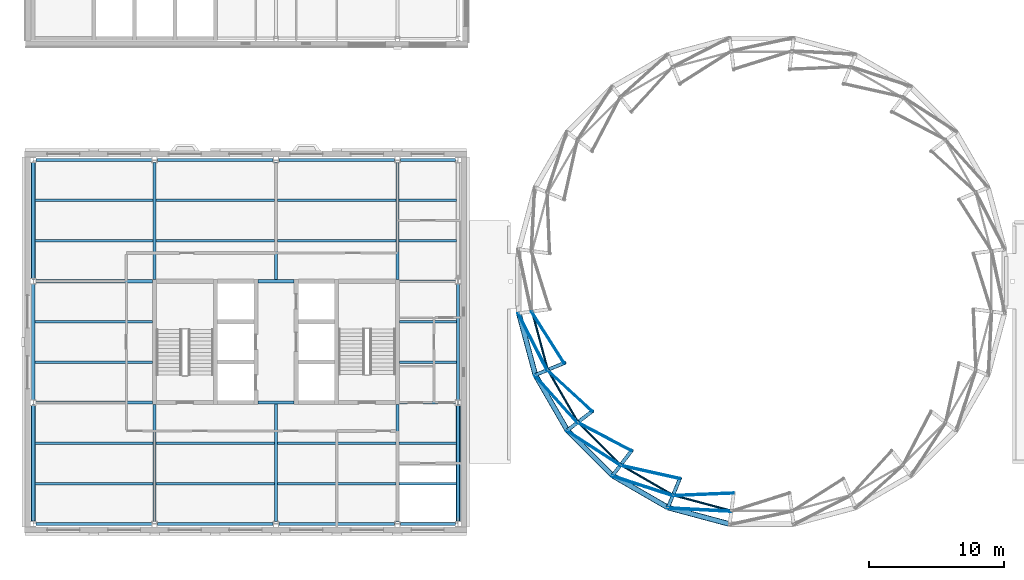
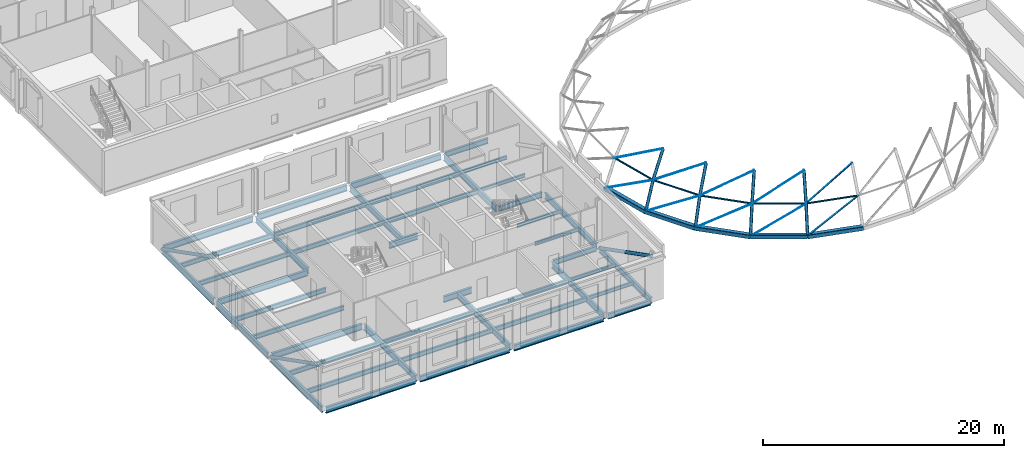
# One storey, part 7 of 59: 58 beams, 28 members.
"""IFC4 building model written with IfcOpenShell, lengths in metres."""

from ifc_helpers import new_model, si_unit, direction, frame, origin, origin_2d, place, context, subcontext, project, spatial, rectangle, hollow_rectangle, circle, hollow_circle, i_section, extrude, material, material_profile, profile_set, type_object, element, save


model = new_model("IFC4")

# Units and contexts
model_context = context("Model", 3, precision=1e-05, world=origin(), true_north=direction((0.0, 1.0)))
body_context = subcontext(model_context, "Body", "Model", "MODEL_VIEW")
ifc_project = project(units=[si_unit("LENGTHUNIT", "METRE"), si_unit("AREAUNIT", "SQUARE_METRE"), si_unit("VOLUMEUNIT", "CUBIC_METRE"), si_unit("PLANEANGLEUNIT", "RADIAN"), si_unit("MASSUNIT", "GRAM", prefix="KILO")], contexts=[model_context])

# Site, building, storey
site_placement = place(None, origin())
site = spatial("IfcSite", under=ifc_project, at=site_placement, CompositionType="ELEMENT")
building_placement = place(site_placement, origin())
building = spatial("IfcBuilding", under=site, at=building_placement, Name="Hortulan Conservatory and Botanical Research Centre", CompositionType="ELEMENT")
storey_placement = place(building_placement, frame((0.0, 0.0, 10.5)))
storey = spatial("IfcBuildingStorey", under=building, at=storey_placement, Name="L02", CompositionType="ELEMENT", Elevation=10.5)

# Members
ifc_material_1 = material(Name="Steel Grade C350L0 (350 MPa, AS/NZS 1163)", Category="steel")
ifc_material_profile_1 = material_profile(ifc_material_1, hollow_circle(Radius=0.161865234375, WallThickness=0.009521484375, at=origin_2d()), Name="323.9x9.5CHS")
ifc_profile_set_1 = profile_set([ifc_material_profile_1], Name="Steel Grade C350L0 (350 MPa, AS/NZS 1163)")
member_type_1 = type_object("IfcMemberType", Name="Brace 323.9x9.5CHS", PredefinedType="BRACE", material=ifc_profile_set_1)
for number, where, z_axis, x_axis, name in (
    (1, (31.5, 8.7890625, -0.365234375), (0.0, -0.889904464341, 0.45614695477), (1.0, 0.0, 0.0), "323.9x9.5CHS brace"),
    (2, (0.0, 8.7890625, -0.365234375), (0.0, -0.889904464341, 0.45614695477), (1.0, 0.0, 0.0), "323.9x9.5CHS brace"),
    (3, (0.0, 26.7890625, -0.365234375), (0.0, -0.889904464341, 0.45614695477), (1.0, 0.0, 0.0), "323.9x9.5CHS brace"),
):
    element("IfcMember", number, at=place(storey_placement, frame(where, z_axis=z_axis, x_axis=x_axis)), inside=storey, type_object=member_type_1, Name=name, PredefinedType="BRACE", context=body_context, shape_type="SweptSolid", body=[
        extrude(hollow_circle(Radius=0.161865234375, WallThickness=0.009521484375, at=origin_2d()), origin(), (0.0, 0.0, 1.0), 9.639404296875),
    ])
ifc_material_2 = material(Name="Steel Grade 300PLUS (AS/NZS 3679.1, 280 MPa minimum yield)", Category="steel")
ifc_material_profile_2 = material_profile(ifc_material_2, circle(Radius=0.011962890625, at=origin_2d()), Name="24 dia rod")
ifc_profile_set_2 = profile_set([ifc_material_profile_2], Name="Steel Grade 300PLUS (AS/NZS 3679.1, 280 MPa minimum yield)")
member_type_2 = type_object("IfcMemberType", Name="Dome Diagonal Rod 24 dia rod", PredefinedType="BRACE", material=ifc_profile_set_2)
member_1_placement = place(storey_placement, frame((36.0, 15.63037109375, 0.0), z_axis=(0.39838537354, -0.780299916715, 0.482100751009), x_axis=(0.89063561178, 0.45471772236, 0.0)))
element("IfcMember", 4, at=member_1_placement, inside=storey, type_object=member_type_2, Name="Dome diagonal rod row 1 panel 13", PredefinedType="BRACE", context=body_context, shape_type="SweptSolid", body=[
    extrude(circle(Radius=0.011962890625, at=origin_2d()), origin(), (0.0, 0.0, 1.0), 5.380615234375),
])
for number, where, z_axis, x_axis, name in (
    (5, (37.226806640625, 11.05224609375, 0.0), (0.586755497323, -0.650599359727, 0.482118719284), (0.742603562999, 0.669731250742, 0.0), "Dome diagonal rod row 1 panel 14"),
    (6, (39.596435546875, 6.94775390625, 0.0), (0.735153241403, -0.476549555041, 0.482130929567), (0.543944758675, 0.839121027927, 0.0), "Dome diagonal rod row 1 panel 15"),
    (7, (42.94775390625, 3.596435546875, 0.0), (0.833442729967, -0.27003961921, 0.482132575048), (0.308229827879, 0.95131192214, 0.0), "Dome diagonal rod row 1 panel 16"),
    (8, (47.05224609375, 1.226806640625, 0.0), (0.874940820745, -0.045149160701, 0.482120434624), (0.051533963608, 0.998671242499, 0.0), "Dome diagonal rod row 1 panel 17"),
):
    element("IfcMember", number, at=place(storey_placement, frame(where, z_axis=z_axis, x_axis=x_axis)), inside=storey, type_object=member_type_2, Name=name, PredefinedType="BRACE", context=body_context, shape_type="SweptSolid", body=[
        extrude(circle(Radius=0.011962890625, at=origin_2d()), origin(), (0.0, 0.0, 1.0), 5.38037109375),
    ])
for number, where, z_axis, x_axis, name in (
    (9, (36.98388671875, 15.759765625, 2.593994140625), (0.472131619445, -0.743829104226, 0.473085613422), (0.844285139038, 0.535894209709, 0.0), "Dome diagonal rod row 2 panel 13"),
    (10, (38.1435546875, 11.431884765625, 2.593994140625), (0.648583748703, -0.596256296153, 0.47309359562), (0.676785536131, 0.736180234782, 0.0), "Dome diagonal rod row 2 panel 14"),
    (11, (40.3837890625, 7.5517578125, 2.593994140625), (0.78080618984, -0.408076055598, 0.473091562761), (0.463189456701, 0.886259288922, 0.0), "Dome diagonal rod row 2 panel 15"),
):
    element("IfcMember", number, at=place(storey_placement, frame(where, z_axis=z_axis, x_axis=x_axis)), inside=storey, type_object=member_type_2, Name=name, PredefinedType="BRACE", context=body_context, shape_type="SweptSolid", body=[
        extrude(circle(Radius=0.011962890625, at=origin_2d()), origin(), (0.0, 0.0, 1.0), 5.1181640625),
    ])
member_2_placement = place(storey_placement, frame((43.5517578125, 4.3837890625, 2.593994140625), z_axis=(0.859816950102, -0.192130404694, 0.473075807784), x_axis=(0.218076806986, 0.975931609415, 0.0)))
element("IfcMember", 12, at=member_2_placement, inside=storey, type_object=member_type_2, Name="Dome diagonal rod row 2 panel 16", PredefinedType="BRACE", context=body_context, shape_type="SweptSolid", body=[
    extrude(circle(Radius=0.011962890625, at=origin_2d()), origin(), (0.0, 0.0, 1.0), 5.118408203125),
])
member_3_placement = place(storey_placement, frame((47.431884765625, 2.1435546875, 2.593994140625), z_axis=(0.880253471503, 0.036965399101, 0.473061713919), x_axis=(-0.041957060227, 0.999119414833, 0.0)))
element("IfcMember", 13, at=member_3_placement, inside=storey, type_object=member_type_2, Name="Dome diagonal rod row 2 panel 17", PredefinedType="BRACE", context=body_context, shape_type="SweptSolid", body=[
    extrude(circle(Radius=0.011962890625, at=origin_2d()), origin(), (0.0, 0.0, 1.0), 5.11865234375),
])
ifc_material_3 = material(Name="Bronze-finished aluminium", Category="aluminium")
ifc_material_profile_3 = material_profile(ifc_material_3, rectangle(XDim=0.050048828125, YDim=0.050048828125, at=origin_2d()), Name="Square bar 50x50")
ifc_profile_set_3 = profile_set([ifc_material_profile_3], Name="Bronze-finished aluminium")
member_type_3 = type_object("IfcMemberType", Name="Dome Glazing Bar 50x50", PredefinedType="MEMBER", material=ifc_profile_set_3)
for number, where, z_axis, x_axis, name in (
    (14, (35.920166015625, 15.619873046875, 0.024169921875), (0.39834582961, -0.78029343557, 0.482143914655), (0.890652361373, 0.454684914177, 0.0), "Dome glazing bar row 1 panel 13"),
    (15, (37.152099609375, 11.021484375, 0.024169921875), (0.586756472413, -0.650586397389, 0.482135024256), (0.742596373019, 0.669739222965, 0.0), "Dome glazing bar row 1 panel 14"),
):
    element("IfcMember", number, at=place(storey_placement, frame(where, z_axis=z_axis, x_axis=x_axis)), inside=storey, type_object=member_type_3, Name=name, PredefinedType="MEMBER", context=body_context, shape_type="SweptSolid", body=[
        extrude(rectangle(XDim=0.050048828125, YDim=0.050048828125, at=origin_2d()), origin(), (0.0, 0.0, 1.0), 5.404541015625),
    ])
for number, where, z_axis, x_axis, name in (
    (16, (39.532470703125, 6.898681640625, 0.024169921875), (0.735135560286, -0.476552880566, 0.48215460179), (0.54395664315, 0.839113323916, 0.0), "Dome glazing bar row 1 panel 15"),
    (17, (42.898681640625, 3.532470703125, 0.024169921875), (0.833428096674, -0.270054374867, 0.482149605713), (0.308249968004, 0.951305396403, 0.0), "Dome glazing bar row 1 panel 16"),
):
    element("IfcMember", number, at=place(storey_placement, frame(where, z_axis=z_axis, x_axis=x_axis)), inside=storey, type_object=member_type_3, Name=name, PredefinedType="MEMBER", context=body_context, shape_type="SweptSolid", body=[
        extrude(rectangle(XDim=0.050048828125, YDim=0.050048828125, at=origin_2d()), origin(), (0.0, 0.0, 1.0), 5.404296875),
    ])
member_4_placement = place(storey_placement, frame((47.021484375, 1.152099609375, 0.024169921875), z_axis=(0.874929953977, -0.045128821976, 0.482142059004), x_axis=(0.051511448352, 0.998672404089, 0.0)))
element("IfcMember", 18, at=member_4_placement, inside=storey, type_object=member_type_3, Name="Dome glazing bar row 1 panel 17", PredefinedType="MEMBER", context=body_context, shape_type="SweptSolid", body=[
    extrude(rectangle(XDim=0.050048828125, YDim=0.050048828125, at=origin_2d()), origin(), (0.0, 0.0, 1.0), 5.404541015625),
])
for number, where, z_axis, x_axis, name in (
    (19, (36.911865234375, 15.750244140625, 2.628173828125), (0.472145960158, -0.74384363542, 0.473048452436), (0.844282511085, 0.535898349948, 0.0), "Dome glazing bar row 2 panel 13"),
    (20, (38.076416015625, 11.404296875, 2.628173828125), (0.648590311412, -0.596294600473, 0.473036317199), (0.676805386998, 0.736161984981, 0.0), "Dome glazing bar row 2 panel 14"),
):
    element("IfcMember", number, at=place(storey_placement, frame(where, z_axis=z_axis, x_axis=x_axis)), inside=storey, type_object=member_type_3, Name=name, PredefinedType="MEMBER", context=body_context, shape_type="SweptSolid", body=[
        extrude(rectangle(XDim=0.050048828125, YDim=0.050048828125, at=origin_2d()), origin(), (0.0, 0.0, 1.0), 5.139892578125),
    ])
member_5_placement = place(storey_placement, frame((40.326171875, 7.507568359375, 2.628173828125), z_axis=(0.780821287697, -0.408081012447, 0.473062367939), x_axis=(0.463186841148, 0.886260655895, 0.0)))
element("IfcMember", 21, at=member_5_placement, inside=storey, type_object=member_type_3, Name="Dome glazing bar row 2 panel 15", PredefinedType="MEMBER", context=body_context, shape_type="SweptSolid", body=[
    extrude(rectangle(XDim=0.050048828125, YDim=0.050048828125, at=origin_2d()), origin(), (0.0, 0.0, 1.0), 5.1396484375),
])
for number, where, z_axis, x_axis, name in (
    (22, (43.507568359375, 4.326171875, 2.628173828125), (0.859832570914, -0.192134722647, 0.473045662012), (0.218077701447, 0.975931409542, 0.0), "Dome glazing bar row 2 panel 16"),
    (23, (47.404296875, 2.076416015625, 2.628173828125), (0.880259821763, 0.037002072154, 0.473047030269), (-0.041998309631, 0.999117681751, 0.0), "Dome glazing bar row 2 panel 17"),
):
    element("IfcMember", number, at=place(storey_placement, frame(where, z_axis=z_axis, x_axis=x_axis)), inside=storey, type_object=member_type_3, Name=name, PredefinedType="MEMBER", context=body_context, shape_type="SweptSolid", body=[
        extrude(rectangle(XDim=0.050048828125, YDim=0.050048828125, at=origin_2d()), origin(), (0.0, 0.0, 1.0), 5.139892578125),
    ])

# Beams
ifc_material_profile_4 = material_profile(ifc_material_1, hollow_circle(Radius=0.136474609375, WallThickness=0.00927734375, at=origin_2d()), Name="273.1x9.3CHS")
ifc_profile_set_4 = profile_set([ifc_material_profile_4], Name="Steel Grade C350L0 (350 MPa, AS/NZS 1163)")
beam_type_1 = type_object("IfcBeamType", Name="Dome Rib 273.1x9.3 CHS", PredefinedType="BEAM", material=ifc_profile_set_4)
for number, where, z_axis, x_axis, name in (
    (24, (37.226806640625, 11.05224609375, 0.0), (0.330086867344, 0.136693762642, 0.934000789754), (-0.382605320631, 0.923911883582, 0.0), "Dome rib 14 segment 1"),
    (25, (38.1435546875, 11.431884765625, 2.593994140625), (0.452523006993, 0.187496420729, 0.871818800185), (-0.382779713358, 0.923839645741, 0.0), "Dome rib 14 segment 2"),
    (26, (39.596435546875, 6.94775390625, 0.0), (0.283493149372, 0.217476605131, 0.933989058009), (-0.608663940733, 0.793428136161, 0.0), "Dome rib 15 segment 1"),
    (27, (40.3837890625, 7.5517578125, 2.593994140625), (0.388608603448, 0.298246774824, 0.871798264872), (-0.608834542375, 0.793297233079, 0.0), "Dome rib 15 segment 2"),
    (28, (42.94775390625, 3.596435546875, 0.0), (0.217476605131, 0.283493149372, 0.933989058009), (-0.793428136161, 0.608663940733, 0.0), "Dome rib 16 segment 1"),
    (29, (43.5517578125, 4.3837890625, 2.593994140625), (0.298246774824, 0.388608603448, 0.871798264872), (-0.793297233079, 0.608834542375, 0.0), "Dome rib 16 segment 2"),
    (30, (47.05224609375, 1.226806640625, 0.0), (0.136693762642, 0.330086867344, 0.934000789754), (-0.923911883582, 0.382605320631, 0.0), "Dome rib 17 segment 1"),
    (31, (47.431884765625, 2.1435546875, 2.593994140625), (0.187496420729, 0.452523006993, 0.871818800185), (-0.923839645741, 0.382779713358, 0.0), "Dome rib 17 segment 2"),
):
    element("IfcBeam", number, at=place(storey_placement, frame(where, z_axis=z_axis, x_axis=x_axis)), inside=storey, type_object=beam_type_1, Name=name, PredefinedType="BEAM", context=body_context, shape_type="SweptSolid", body=[
        extrude(hollow_circle(Radius=0.136474609375, WallThickness=0.00927734375, at=origin_2d()), origin(), (0.0, 0.0, 1.0), 2.77734375),
    ])

# Members
ifc_material_profile_5 = material_profile(ifc_material_1, hollow_circle(Radius=0.084228515625, WallThickness=0.00634765625, at=origin_2d()), Name="168.3x6.4CHS")
ifc_profile_set_5 = profile_set([ifc_material_profile_5], Name="Steel Grade C350L0 (350 MPa, AS/NZS 1163)")
member_type_4 = type_object("IfcMemberType", Name="Dome Ring 168.3x6.4 CHS", PredefinedType="PURLIN", material=ifc_profile_set_5)
for number, where, z_axis, x_axis, name in (
    (32, (36.98388671875, 15.759765625, 2.593994140625), (0.258822332634, -0.965924945392, 0.0), (0.965924945392, 0.258822332634, 0.0), "Dome ring 1 chord 13"),
    (33, (38.1435546875, 11.431884765625, 2.593994140625), (0.500007036309, -0.866021341331, 0.0), (0.866021341331, 0.500007036309, 0.0), "Dome ring 1 chord 14"),
):
    element("IfcMember", number, at=place(storey_placement, frame(where, z_axis=z_axis, x_axis=x_axis)), inside=storey, type_object=member_type_4, Name=name, PredefinedType="PURLIN", context=body_context, shape_type="SweptSolid", body=[
        extrude(hollow_circle(Radius=0.084228515625, WallThickness=0.00634765625, at=origin_2d()), origin(), (0.0, 0.0, 1.0), 4.48046875),
    ])
member_6_placement = place(storey_placement, frame((40.3837890625, 7.5517578125, 2.593994140625), z_axis=(0.707106781187, -0.707106781187, 0.0), x_axis=(0.707106781187, 0.707106781187, 0.0)))
element("IfcMember", 34, at=member_6_placement, inside=storey, type_object=member_type_4, Name="Dome ring 1 chord 15", PredefinedType="PURLIN", context=body_context, shape_type="SweptSolid", body=[
    extrude(hollow_circle(Radius=0.084228515625, WallThickness=0.00634765625, at=origin_2d()), origin(), (0.0, 0.0, 1.0), 4.480224609375),
])
for number, where, z_axis, x_axis, name in (
    (35, (43.5517578125, 4.3837890625, 2.593994140625), (0.866021341331, -0.500007036309, 0.0), (0.500007036309, 0.866021341331, 0.0), "Dome ring 1 chord 16"),
    (36, (47.431884765625, 2.1435546875, 2.593994140625), (0.965924945392, -0.258822332634, 0.0), (0.258822332634, 0.965924945392, 0.0), "Dome ring 1 chord 17"),
):
    element("IfcMember", number, at=place(storey_placement, frame(where, z_axis=z_axis, x_axis=x_axis)), inside=storey, type_object=member_type_4, Name=name, PredefinedType="PURLIN", context=body_context, shape_type="SweptSolid", body=[
        extrude(hollow_circle(Radius=0.084228515625, WallThickness=0.00634765625, at=origin_2d()), origin(), (0.0, 0.0, 1.0), 4.48046875),
    ])

# Beams
ifc_material_4 = material(Name="Steel Grade C450L0 (450 MPa, AS/NZS 1163)", Category="steel")
ifc_material_profile_6 = material_profile(ifc_material_4, hollow_rectangle(XDim=0.39990234375, YDim=0.39990234375, WallThickness=0.01611328125, InnerFilletRadius=0.02392578125, OuterFilletRadius=0.0400390625, at=origin_2d()), Name="400x400x16SHS")
ifc_profile_set_6 = profile_set([ifc_material_profile_6], Name="Steel Grade C450L0 (450 MPa, AS/NZS 1163)")
beam_type_2 = type_object("IfcBeamType", Name="Dome Ring Beam 400x400x16 SHS", PredefinedType="BEAM", material=ifc_profile_set_6)
beam_1_placement = place(storey_placement, frame((36.0, 15.63037109375, 0.0), z_axis=(0.258839073629, -0.965920459439, 0.0), x_axis=(0.965920459439, 0.258839073629, 0.0)))
element("IfcBeam", 37, at=beam_1_placement, inside=storey, type_object=beam_type_2, Name="Dome ring beam chord 13", PredefinedType="BEAM", context=body_context, shape_type="SweptSolid", body=[
    extrude(hollow_rectangle(XDim=0.39990234375, YDim=0.39990234375, WallThickness=0.01611328125, InnerFilletRadius=0.02392578125, OuterFilletRadius=0.0400390625, at=origin_2d()), origin(), (0.0, 0.0, 1.0), 4.73974609375),
])
for number, where, z_axis, x_axis, name in (
    (38, (37.226806640625, 11.05224609375, 0.0), (0.4999840544, -0.866034609785, 0.0), (0.866034609785, 0.4999840544, 0.0), "Dome ring beam chord 14"),
    (39, (39.596435546875, 6.94775390625, 0.0), (0.707106781187, -0.707106781187, 0.0), (0.707106781187, 0.707106781187, 0.0), "Dome ring beam chord 15"),
    (40, (42.94775390625, 3.596435546875, 0.0), (0.866034609785, -0.4999840544, 0.0), (0.4999840544, 0.866034609785, 0.0), "Dome ring beam chord 16"),
):
    element("IfcBeam", number, at=place(storey_placement, frame(where, z_axis=z_axis, x_axis=x_axis)), inside=storey, type_object=beam_type_2, Name=name, PredefinedType="BEAM", context=body_context, shape_type="SweptSolid", body=[
        extrude(hollow_rectangle(XDim=0.39990234375, YDim=0.39990234375, WallThickness=0.01611328125, InnerFilletRadius=0.02392578125, OuterFilletRadius=0.0400390625, at=origin_2d()), origin(), (0.0, 0.0, 1.0), 4.739501953125),
    ])
beam_2_placement = place(storey_placement, frame((47.05224609375, 1.226806640625, 0.0), z_axis=(0.965920459439, -0.258839073629, 0.0), x_axis=(0.258839073629, 0.965920459439, 0.0)))
element("IfcBeam", 41, at=beam_2_placement, inside=storey, type_object=beam_type_2, Name="Dome ring beam chord 17", PredefinedType="BEAM", context=body_context, shape_type="SweptSolid", body=[
    extrude(hollow_rectangle(XDim=0.39990234375, YDim=0.39990234375, WallThickness=0.01611328125, InnerFilletRadius=0.02392578125, OuterFilletRadius=0.0400390625, at=origin_2d()), origin(), (0.0, 0.0, 1.0), 4.73974609375),
])
ifc_material_profile_7 = material_profile(ifc_material_2, i_section(OverallWidth=0.208984375, OverallDepth=0.528076171875, WebThickness=0.009521484375, FlangeThickness=0.01318359375, FilletRadius=0.013916015625, at=origin_2d()), Name="530UB82.0")
ifc_profile_set_7 = profile_set([ifc_material_profile_7], Name="Steel Grade 300PLUS (AS/NZS 3679.1, 280 MPa minimum yield)")
beam_type_3 = type_object("IfcBeamType", Name="Primary Beam 530UB82.0", PredefinedType="BEAM", material=ifc_profile_set_7)
for number, where, z_axis, x_axis, name in (
    (42, (27.2109375, 0.0, -0.43408203125), (1.0, 0.0, 0.0), (0.0, 1.0, 0.0), "530UB82.0 girder"),
    (43, (27.2109375, 27.0, -0.43408203125), (1.0, 0.0, 0.0), (0.0, 1.0, 0.0), "530UB82.0 girder"),
):
    element("IfcBeam", number, at=place(storey_placement, frame(where, z_axis=z_axis, x_axis=x_axis)), inside=storey, type_object=beam_type_3, Name=name, PredefinedType="BEAM", context=body_context, shape_type="SweptSolid", body=[
        extrude(i_section(OverallWidth=0.208984375, OverallDepth=0.528076171875, WebThickness=0.009521484375, FlangeThickness=0.01318359375, FilletRadius=0.013916015625, at=origin_2d()), origin(), (0.0, 0.0, 1.0), 4.089111328125),
    ])
for number, where, z_axis, x_axis, name in (
    (44, (27.14990234375, 9.0, -0.43408203125), (1.0, 0.0, 0.0), (0.0, 1.0, 0.0), "530UB82.0 girder"),
    (45, (27.14990234375, 18.0, -0.43408203125), (1.0, 0.0, 0.0), (0.0, 1.0, 0.0), "530UB82.0 girder"),
):
    element("IfcBeam", number, at=place(storey_placement, frame(where, z_axis=z_axis, x_axis=x_axis)), inside=storey, type_object=beam_type_3, Name=name, PredefinedType="BEAM", context=body_context, shape_type="SweptSolid", body=[
        extrude(i_section(OverallWidth=0.208984375, OverallDepth=0.528076171875, WebThickness=0.009521484375, FlangeThickness=0.01318359375, FilletRadius=0.013916015625, at=origin_2d()), origin(), (0.0, 0.0, 1.0), 4.150146484375),
    ])
ifc_material_profile_8 = material_profile(ifc_material_2, i_section(OverallWidth=0.22802734375, OverallDepth=0.60693359375, WebThickness=0.01123046875, FlangeThickness=0.017333984375, FilletRadius=0.013916015625, at=origin_2d()), Name="610UB113")
ifc_profile_set_8 = profile_set([ifc_material_profile_8], Name="Steel Grade 300PLUS (AS/NZS 3679.1, 280 MPa minimum yield)")
beam_type_4 = type_object("IfcBeamType", Name="Primary Beam 610UB113", PredefinedType="BEAM", material=ifc_profile_set_8)
beam_3_placement = place(storey_placement, frame((0.0, 0.2109375, -0.473388671875), z_axis=(0.0, 1.0, 0.0), x_axis=(-1.0, 0.0, 0.0)))
element("IfcBeam", 46, at=beam_3_placement, inside=storey, type_object=beam_type_4, Name="610UB113 girder", PredefinedType="BEAM", context=body_context, shape_type="SweptSolid", body=[
    extrude(i_section(OverallWidth=0.22802734375, OverallDepth=0.60693359375, WebThickness=0.01123046875, FlangeThickness=0.017333984375, FilletRadius=0.013916015625, at=origin_2d()), origin(), (0.0, 0.0, 1.0), 8.578125),
])
beam_4_placement = place(storey_placement, frame((0.199951171875, 0.0, -0.473388671875), z_axis=(1.0, 0.0, 0.0), x_axis=(0.0, 1.0, 0.0)))
element("IfcBeam", 47, at=beam_4_placement, inside=storey, type_object=beam_type_4, Name="610UB113 girder", PredefinedType="BEAM", context=body_context, shape_type="SweptSolid", body=[
    extrude(i_section(OverallWidth=0.22802734375, OverallDepth=0.60693359375, WebThickness=0.01123046875, FlangeThickness=0.017333984375, FilletRadius=0.013916015625, at=origin_2d()), origin(), (0.0, 0.0, 1.0), 8.589111328125),
])
for number, where, z_axis, x_axis, name in (
    (48, (0.0, 9.2109375, -0.473388671875), (0.0, 1.0, 0.0), (-1.0, 0.0, 0.0), "610UB113 girder"),
    (49, (0.0, 18.2109375, -0.473388671875), (0.0, 1.0, 0.0), (-1.0, 0.0, 0.0), "610UB113 girder"),
):
    element("IfcBeam", number, at=place(storey_placement, frame(where, z_axis=z_axis, x_axis=x_axis)), inside=storey, type_object=beam_type_4, Name=name, PredefinedType="BEAM", context=body_context, shape_type="SweptSolid", body=[
        extrude(i_section(OverallWidth=0.22802734375, OverallDepth=0.60693359375, WebThickness=0.01123046875, FlangeThickness=0.017333984375, FilletRadius=0.013916015625, at=origin_2d()), origin(), (0.0, 0.0, 1.0), 8.578125),
    ])
beam_5_placement = place(storey_placement, frame((0.199951171875, 27.0, -0.473388671875), z_axis=(1.0, 0.0, 0.0), x_axis=(0.0, 1.0, 0.0)))
element("IfcBeam", 50, at=beam_5_placement, inside=storey, type_object=beam_type_4, Name="610UB113 girder", PredefinedType="BEAM", context=body_context, shape_type="SweptSolid", body=[
    extrude(i_section(OverallWidth=0.22802734375, OverallDepth=0.60693359375, WebThickness=0.01123046875, FlangeThickness=0.017333984375, FilletRadius=0.013916015625, at=origin_2d()), origin(), (0.0, 0.0, 1.0), 8.589111328125),
])
for number, where, z_axis, x_axis, name in (
    (51, (9.2109375, 0.0, -0.473388671875), (1.0, 0.0, 0.0), (0.0, 1.0, 0.0), "610UB113 girder"),
    (52, (9.2109375, 27.0, -0.473388671875), (1.0, 0.0, 0.0), (0.0, 1.0, 0.0), "610UB113 girder"),
    (53, (18.2109375, 0.0, -0.473388671875), (1.0, 0.0, 0.0), (0.0, 1.0, 0.0), "610UB113 girder"),
    (54, (18.2109375, 27.0, -0.473388671875), (1.0, 0.0, 0.0), (0.0, 1.0, 0.0), "610UB113 girder"),
    (55, (31.5, 0.2109375, -0.473388671875), (0.0, 1.0, 0.0), (-1.0, 0.0, 0.0), "610UB113 girder"),
    (56, (31.5, 9.2109375, -0.473388671875), (0.0, 1.0, 0.0), (-1.0, 0.0, 0.0), "610UB113 girder"),
):
    element("IfcBeam", number, at=place(storey_placement, frame(where, z_axis=z_axis, x_axis=x_axis)), inside=storey, type_object=beam_type_4, Name=name, PredefinedType="BEAM", context=body_context, shape_type="SweptSolid", body=[
        extrude(i_section(OverallWidth=0.22802734375, OverallDepth=0.60693359375, WebThickness=0.01123046875, FlangeThickness=0.017333984375, FilletRadius=0.013916015625, at=origin_2d()), origin(), (0.0, 0.0, 1.0), 8.578125),
    ])
ifc_material_profile_9 = material_profile(ifc_material_2, i_section(OverallWidth=0.22900390625, OverallDepth=0.612060546875, WebThickness=0.011962890625, FlangeThickness=0.01953125, FilletRadius=0.013916015625, at=origin_2d()), Name="610UB125")
ifc_profile_set_9 = profile_set([ifc_material_profile_9], Name="Steel Grade 300PLUS (AS/NZS 3679.1, 280 MPa minimum yield)")
beam_type_5 = type_object("IfcBeamType", Name="Primary Beam 610UB125", PredefinedType="BEAM", material=ifc_profile_set_9)
for number, where, z_axis, x_axis, name in (
    (57, (0.199951171875, 9.0, -0.47607421875), (1.0, 0.0, 0.0), (0.0, 1.0, 0.0), "610UB125 girder"),
    (58, (0.199951171875, 18.0, -0.47607421875), (1.0, 0.0, 0.0), (0.0, 1.0, 0.0), "610UB125 girder"),
    (59, (9.0, 0.199951171875, -0.47607421875), (0.0, 1.0, 0.0), (-1.0, 0.0, 0.0), "610UB125 girder"),
    (60, (9.0, 18.14990234375, -0.47607421875), (0.0, 1.0, 0.0), (-1.0, 0.0, 0.0), "610UB125 girder"),
):
    element("IfcBeam", number, at=place(storey_placement, frame(where, z_axis=z_axis, x_axis=x_axis)), inside=storey, type_object=beam_type_5, Name=name, PredefinedType="BEAM", context=body_context, shape_type="SweptSolid", body=[
        extrude(i_section(OverallWidth=0.22900390625, OverallDepth=0.612060546875, WebThickness=0.011962890625, FlangeThickness=0.01953125, FilletRadius=0.013916015625, at=origin_2d()), origin(), (0.0, 0.0, 1.0), 8.650146484375),
    ])
for number, where, z_axis, x_axis, name in (
    (61, (16.64990234375, 9.0, -0.47607421875), (1.0, 0.0, 0.0), (0.0, 1.0, 0.0), "610UB125 girder"),
    (62, (16.64990234375, 18.0, -0.47607421875), (1.0, 0.0, 0.0), (0.0, 1.0, 0.0), "610UB125 girder"),
):
    element("IfcBeam", number, at=place(storey_placement, frame(where, z_axis=z_axis, x_axis=x_axis)), inside=storey, type_object=beam_type_5, Name=name, PredefinedType="BEAM", context=body_context, shape_type="SweptSolid", body=[
        extrude(i_section(OverallWidth=0.22900390625, OverallDepth=0.612060546875, WebThickness=0.011962890625, FlangeThickness=0.01953125, FilletRadius=0.013916015625, at=origin_2d()), origin(), (0.0, 0.0, 1.0), 2.7001953125),
    ])
for number, where, z_axis, x_axis, name in (
    (63, (18.0, 0.199951171875, -0.47607421875), (0.0, 1.0, 0.0), (-1.0, 0.0, 0.0), "610UB125 girder"),
    (64, (18.0, 18.0, -0.47607421875), (0.0, 1.0, 0.0), (-1.0, 0.0, 0.0), "610UB125 girder"),
):
    element("IfcBeam", number, at=place(storey_placement, frame(where, z_axis=z_axis, x_axis=x_axis)), inside=storey, type_object=beam_type_5, Name=name, PredefinedType="BEAM", context=body_context, shape_type="SweptSolid", body=[
        extrude(i_section(OverallWidth=0.22900390625, OverallDepth=0.612060546875, WebThickness=0.011962890625, FlangeThickness=0.01953125, FilletRadius=0.013916015625, at=origin_2d()), origin(), (0.0, 0.0, 1.0), 8.800048828125),
    ])
for number, where, z_axis, x_axis, name in (
    (65, (27.0, 0.199951171875, -0.47607421875), (0.0, 1.0, 0.0), (-1.0, 0.0, 0.0), "610UB125 girder"),
    (66, (27.0, 18.14990234375, -0.47607421875), (0.0, 1.0, 0.0), (-1.0, 0.0, 0.0), "610UB125 girder"),
):
    element("IfcBeam", number, at=place(storey_placement, frame(where, z_axis=z_axis, x_axis=x_axis)), inside=storey, type_object=beam_type_5, Name=name, PredefinedType="BEAM", context=body_context, shape_type="SweptSolid", body=[
        extrude(i_section(OverallWidth=0.22900390625, OverallDepth=0.612060546875, WebThickness=0.011962890625, FlangeThickness=0.01953125, FilletRadius=0.013916015625, at=origin_2d()), origin(), (0.0, 0.0, 1.0), 8.650146484375),
    ])
ifc_material_profile_10 = material_profile(ifc_material_2, i_section(OverallWidth=0.1708984375, OverallDepth=0.35595703125, WebThickness=0.00732421875, FlangeThickness=0.011474609375, FilletRadius=0.011474609375, at=origin_2d()), Name="360UB50.7")
ifc_profile_set_10 = profile_set([ifc_material_profile_10], Name="Steel Grade 300PLUS (AS/NZS 3679.1, 280 MPa minimum yield)")
beam_type_6 = type_object("IfcBeamType", Name="Secondary Beam 360UB50.7", PredefinedType="JOIST", material=ifc_profile_set_10)
for number, where, z_axis, x_axis, name in (
    (67, (27.114501953125, 3.0, -0.347900390625), (1.0, 0.0, 0.0), (0.0, 1.0, 0.0), "360UB50.7 secondary beam"),
    (68, (27.114501953125, 6.0, -0.347900390625), (1.0, 0.0, 0.0), (0.0, 1.0, 0.0), "360UB50.7 secondary beam"),
):
    element("IfcBeam", number, at=place(storey_placement, frame(where, z_axis=z_axis, x_axis=x_axis)), inside=storey, type_object=beam_type_6, Name=name, PredefinedType="JOIST", context=body_context, shape_type="SweptSolid", body=[
        extrude(i_section(OverallWidth=0.1708984375, OverallDepth=0.35595703125, WebThickness=0.00732421875, FlangeThickness=0.011474609375, FilletRadius=0.011474609375, at=origin_2d()), origin(), (0.0, 0.0, 1.0), 4.271484375),
    ])
for number, where, z_axis, x_axis, name in (
    (69, (27.14990234375, 12.0, -0.347900390625), (1.0, 0.0, 0.0), (0.0, 1.0, 0.0), "360UB50.7 secondary beam"),
    (70, (27.14990234375, 15.0, -0.347900390625), (1.0, 0.0, 0.0), (0.0, 1.0, 0.0), "360UB50.7 secondary beam"),
):
    element("IfcBeam", number, at=place(storey_placement, frame(where, z_axis=z_axis, x_axis=x_axis)), inside=storey, type_object=beam_type_6, Name=name, PredefinedType="JOIST", context=body_context, shape_type="SweptSolid", body=[
        extrude(i_section(OverallWidth=0.1708984375, OverallDepth=0.35595703125, WebThickness=0.00732421875, FlangeThickness=0.011474609375, FilletRadius=0.011474609375, at=origin_2d()), origin(), (0.0, 0.0, 1.0), 4.236083984375),
    ])
for number, where, z_axis, x_axis, name in (
    (71, (27.114501953125, 21.0, -0.347900390625), (1.0, 0.0, 0.0), (0.0, 1.0, 0.0), "360UB50.7 secondary beam"),
    (72, (27.114501953125, 24.0, -0.347900390625), (1.0, 0.0, 0.0), (0.0, 1.0, 0.0), "360UB50.7 secondary beam"),
):
    element("IfcBeam", number, at=place(storey_placement, frame(where, z_axis=z_axis, x_axis=x_axis)), inside=storey, type_object=beam_type_6, Name=name, PredefinedType="JOIST", context=body_context, shape_type="SweptSolid", body=[
        extrude(i_section(OverallWidth=0.1708984375, OverallDepth=0.35595703125, WebThickness=0.00732421875, FlangeThickness=0.011474609375, FilletRadius=0.011474609375, at=origin_2d()), origin(), (0.0, 0.0, 1.0), 4.271484375),
    ])
ifc_material_profile_11 = material_profile(ifc_material_2, i_section(OverallWidth=0.19091796875, OverallDepth=0.4599609375, WebThickness=0.010009765625, FlangeThickness=0.01611328125, FilletRadius=0.011474609375, at=origin_2d()), Name="460UB82.1")
ifc_profile_set_11 = profile_set([ifc_material_profile_11], Name="Steel Grade 300PLUS (AS/NZS 3679.1, 280 MPa minimum yield)")
beam_type_7 = type_object("IfcBeamType", Name="Secondary Beam 460UB82.1", PredefinedType="JOIST", material=ifc_profile_set_11)
for number, where, z_axis, x_axis, name in (
    (73, (0.114013671875, 3.0, -0.39990234375), (1.0, 0.0, 0.0), (0.0, 1.0, 0.0), "460UB82.1 secondary beam"),
    (74, (0.114013671875, 6.0, -0.39990234375), (1.0, 0.0, 0.0), (0.0, 1.0, 0.0), "460UB82.1 secondary beam"),
):
    element("IfcBeam", number, at=place(storey_placement, frame(where, z_axis=z_axis, x_axis=x_axis)), inside=storey, type_object=beam_type_7, Name=name, PredefinedType="JOIST", context=body_context, shape_type="SweptSolid", body=[
        extrude(i_section(OverallWidth=0.19091796875, OverallDepth=0.4599609375, WebThickness=0.010009765625, FlangeThickness=0.01611328125, FilletRadius=0.011474609375, at=origin_2d()), origin(), (0.0, 0.0, 1.0), 8.771484375),
    ])
for number, where, z_axis, x_axis, name in (
    (75, (0.114013671875, 12.0, -0.39990234375), (1.0, 0.0, 0.0), (0.0, 1.0, 0.0), "460UB82.1 secondary beam"),
    (76, (0.114013671875, 15.0, -0.39990234375), (1.0, 0.0, 0.0), (0.0, 1.0, 0.0), "460UB82.1 secondary beam"),
):
    element("IfcBeam", number, at=place(storey_placement, frame(where, z_axis=z_axis, x_axis=x_axis)), inside=storey, type_object=beam_type_7, Name=name, PredefinedType="JOIST", context=body_context, shape_type="SweptSolid", body=[
        extrude(i_section(OverallWidth=0.19091796875, OverallDepth=0.4599609375, WebThickness=0.010009765625, FlangeThickness=0.01611328125, FilletRadius=0.011474609375, at=origin_2d()), origin(), (0.0, 0.0, 1.0), 8.736083984375),
    ])
for number, where, z_axis, x_axis, name in (
    (77, (0.114013671875, 21.0, -0.39990234375), (1.0, 0.0, 0.0), (0.0, 1.0, 0.0), "460UB82.1 secondary beam"),
    (78, (0.114013671875, 24.0, -0.39990234375), (1.0, 0.0, 0.0), (0.0, 1.0, 0.0), "460UB82.1 secondary beam"),
):
    element("IfcBeam", number, at=place(storey_placement, frame(where, z_axis=z_axis, x_axis=x_axis)), inside=storey, type_object=beam_type_7, Name=name, PredefinedType="JOIST", context=body_context, shape_type="SweptSolid", body=[
        extrude(i_section(OverallWidth=0.19091796875, OverallDepth=0.4599609375, WebThickness=0.010009765625, FlangeThickness=0.01611328125, FilletRadius=0.011474609375, at=origin_2d()), origin(), (0.0, 0.0, 1.0), 8.771484375),
    ])
for number, where, z_axis, x_axis, name in (
    (79, (9.114501953125, 3.0, -0.39990234375), (1.0, 0.0, 0.0), (0.0, 1.0, 0.0), "460UB82.1 secondary beam"),
    (80, (9.114501953125, 6.0, -0.39990234375), (1.0, 0.0, 0.0), (0.0, 1.0, 0.0), "460UB82.1 secondary beam"),
    (81, (9.114501953125, 21.0, -0.39990234375), (1.0, 0.0, 0.0), (0.0, 1.0, 0.0), "460UB82.1 secondary beam"),
    (82, (9.114501953125, 24.0, -0.39990234375), (1.0, 0.0, 0.0), (0.0, 1.0, 0.0), "460UB82.1 secondary beam"),
    (83, (18.114501953125, 3.0, -0.39990234375), (1.0, 0.0, 0.0), (0.0, 1.0, 0.0), "460UB82.1 secondary beam"),
    (84, (18.114501953125, 6.0, -0.39990234375), (1.0, 0.0, 0.0), (0.0, 1.0, 0.0), "460UB82.1 secondary beam"),
    (85, (18.114501953125, 21.0, -0.39990234375), (1.0, 0.0, 0.0), (0.0, 1.0, 0.0), "460UB82.1 secondary beam"),
    (86, (18.114501953125, 24.0, -0.39990234375), (1.0, 0.0, 0.0), (0.0, 1.0, 0.0), "460UB82.1 secondary beam"),
):
    element("IfcBeam", number, at=place(storey_placement, frame(where, z_axis=z_axis, x_axis=x_axis)), inside=storey, type_object=beam_type_7, Name=name, PredefinedType="JOIST", context=body_context, shape_type="SweptSolid", body=[
        extrude(i_section(OverallWidth=0.19091796875, OverallDepth=0.4599609375, WebThickness=0.010009765625, FlangeThickness=0.01611328125, FilletRadius=0.011474609375, at=origin_2d()), origin(), (0.0, 0.0, 1.0), 8.77099609375),
    ])

save(model, "model.ifc")
